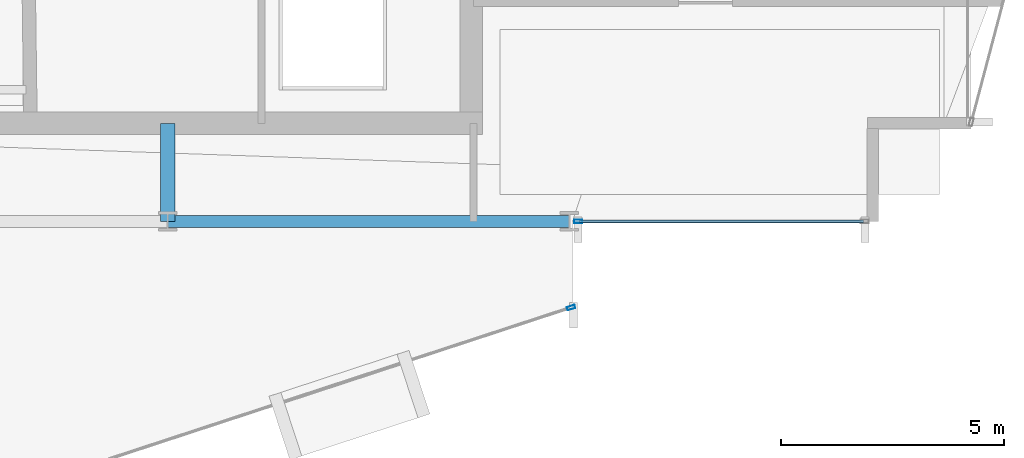
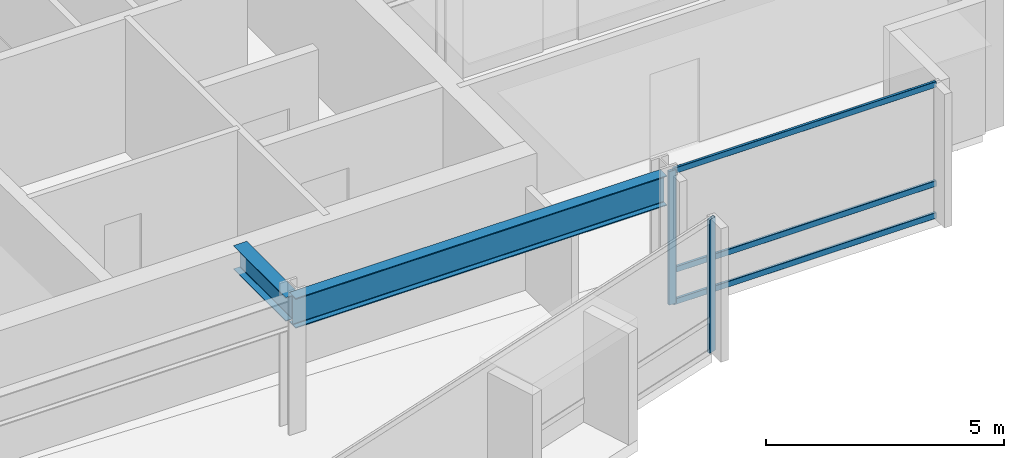
# One storey, part 10 of 29: 5 members, 2 beams, 2 elements without a shape of their own.
"""IFC4 building model written with IfcOpenShell, lengths in metres."""

from ifc_helpers import new_model, si_unit, direction, frame, origin, origin_2d, place, context, subcontext, project, spatial, hollow_rectangle, i_section, extrude, material, layer, layer_set, material_profile, profile_set, type_object, element, aggregate, save


model = new_model("IFC4")

# Units and contexts
model_context = context("Model", 3, precision=1e-05, world=origin(), true_north=direction((0.0, 1.0)))
body_context = subcontext(model_context, "Body", "Model", "MODEL_VIEW")
ifc_project = project(units=[si_unit("LENGTHUNIT", "METRE"), si_unit("AREAUNIT", "SQUARE_METRE"), si_unit("VOLUMEUNIT", "CUBIC_METRE"), si_unit("PLANEANGLEUNIT", "RADIAN"), si_unit("MASSUNIT", "GRAM", prefix="KILO")], contexts=[model_context])

# Site, building, storey
site_placement = place(None, origin())
site = spatial("IfcSite", under=ifc_project, at=site_placement, CompositionType="ELEMENT")
building_placement = place(site_placement, origin())
building = spatial("IfcBuilding", under=site, at=building_placement, Name="Solvaryn Broadcast Tower", CompositionType="ELEMENT")
storey_placement = place(building_placement, frame((0.0, 0.0, 147.0)))
storey = spatial("IfcBuildingStorey", under=building, at=storey_placement, Name="L36", CompositionType="ELEMENT", Elevation=147.0)

# Beams
ifc_material_1 = material(Name="Steel ASTM A992 Grade 50", Category="steel")
ifc_material_profile_1 = material_profile(ifc_material_1, i_section(OverallWidth=0.323974609375, OverallDepth=0.611083984375, WebThickness=0.0126953125, FlangeThickness=0.01904296875, FilletRadius=0.014892578125, at=origin_2d()))
ifc_profile_set_1 = profile_set([ifc_material_profile_1], Name="Steel ASTM A992 Grade 50")
beam_type_1 = type_object("IfcBeamType", Name="BM-B1-W24X104", PredefinedType="BEAM", material=ifc_profile_set_1)
beam_1_placement = place(storey_placement, frame((36.0, 9.0, 3.114501953125), z_axis=(0.0, 1.0, 0.0), x_axis=(-1.0, 0.0, 0.0)))
element("IfcBeam", 1, at=beam_1_placement, inside=storey, type_object=beam_type_1, Name="L36 Core Tie Beam CTE1", PredefinedType="BEAM", context=body_context, shape_type="SweptSolid", body=[
    extrude(i_section(OverallWidth=0.323974609375, OverallDepth=0.611083984375, WebThickness=0.0126953125, FlangeThickness=0.01904296875, FilletRadius=0.014892578125, at=origin_2d()), origin(), (0.0, 0.0, 1.0), 2.199951171875),
])
ifc_material_2 = material(Name="Steel ASTM A992 Grade 50", Category="steel")
ifc_material_profile_2 = material_profile(ifc_material_2, i_section(OverallWidth=0.26708984375, OverallDepth=0.76611328125, WebThickness=0.014892578125, FlangeThickness=0.023681640625, FilletRadius=0.01806640625, at=origin_2d()))
ifc_profile_set_2 = profile_set([ifc_material_profile_2], Name="Steel ASTM A992 Grade 50")
beam_type_2 = type_object("IfcBeamType", Name="BM-SP2-W30X124", PredefinedType="USERDEFINED", material=ifc_profile_set_2)
beam_2_placement = place(storey_placement, frame((36.0, 9.0, 3.037109375), z_axis=(1.0, 0.0, 0.0), x_axis=(0.0, 1.0, 0.0)))
element("IfcBeam", 2, at=beam_2_placement, inside=storey, type_object=beam_type_2, Name="L36 Spandrel Beam X (36-45 @ Y=9)", ObjectType="SPANDREL", PredefinedType="USERDEFINED", context=body_context, shape_type="SweptSolid", body=[
    extrude(i_section(OverallWidth=0.26708984375, OverallDepth=0.76611328125, WebThickness=0.014892578125, FlangeThickness=0.023681640625, FilletRadius=0.01806640625, at=origin_2d()), origin(), (0.0, 0.0, 1.0), 9.0),
])

# Curtain wall, member
ifc_material_3 = material(Name="Aluminium and Terracotta Unitised Curtain Wall", Category="masonry")
ifc_layer = layer(ifc_material_3, 0.199951171875)
ifc_layer_set = layer_set([ifc_layer], Name="CW-SYS2-LOWMID")
curtain_wall_type = type_object("IfcCurtainWallType", Name="CW-SYS2-LOWMID", PredefinedType="NOTDEFINED", material=ifc_layer_set)
curtain_wall_1_placement = place(storey_placement, origin())
curtain_wall_1 = element("IfcCurtainWall", 3, at=curtain_wall_1_placement, inside=storey, type_object=curtain_wall_type, Name="L36 Curtain Wall DR4", PredefinedType="NOTDEFINED")
ifc_material_4 = material(Name="Anodised Aluminium 6063-T6", Category="aluminium")
ifc_material_profile_3 = material_profile(ifc_material_4, hollow_rectangle(XDim=0.074951171875, YDim=0.179931640625, WallThickness=0.00390625, InnerFilletRadius=0.00390625, OuterFilletRadius=0.008056640625, at=origin_2d()))
ifc_profile_set_3 = profile_set([ifc_material_profile_3], Name="Anodised Aluminium 6063-T6")
member_type_1 = type_object("IfcMemberType", Name="CW-MUL-180", PredefinedType="MULLION", material=ifc_profile_set_3)
member_1_placement = place(storey_placement, frame((45.03857421875, 7.069580078125, 0.0), z_axis=(0.0, 0.0, 1.0), x_axis=(-0.311646057547, 0.950198260794, 0.0)))
member_1 = element("IfcMember", 4, at=member_1_placement, type_object=member_type_1, Name="CWS2 mullion 2", PredefinedType="MULLION", context=body_context, shape_type="SweptSolid", body=[
    extrude(hollow_rectangle(XDim=0.074951171875, YDim=0.179931640625, WallThickness=0.00390625, InnerFilletRadius=0.00390625, OuterFilletRadius=0.008056640625, at=origin_2d()), origin(), (0.0, 0.0, 1.0), 3.419921875),
])
aggregate(curtain_wall_1, [member_1])

# Curtain wall, members
curtain_wall_2_placement = place(storey_placement, origin())
curtain_wall_2 = element("IfcCurtainWall", 5, at=curtain_wall_2_placement, inside=storey, type_object=curtain_wall_type, Name="L36 Curtain Wall S2", PredefinedType="NOTDEFINED")
member_2_placement = place(storey_placement, frame((45.197021484375, 9.0, 0.0), z_axis=(0.0, 0.0, 1.0), x_axis=(0.0, 1.0, 0.0)))
member_2 = element("IfcMember", 6, at=member_2_placement, type_object=member_type_1, Name="CWS2 mullion 1", PredefinedType="MULLION", context=body_context, shape_type="SweptSolid", body=[
    extrude(hollow_rectangle(XDim=0.074951171875, YDim=0.179931640625, WallThickness=0.00390625, InnerFilletRadius=0.00390625, OuterFilletRadius=0.008056640625, at=origin_2d()), origin(), (0.0, 0.0, 1.0), 3.419921875),
])
ifc_material_5 = material(Name="Anodised Aluminium 6063-T6", Category="aluminium")
ifc_material_profile_4 = material_profile(ifc_material_5, hollow_rectangle(XDim=0.06494140625, YDim=0.14990234375, WallThickness=0.00390625, InnerFilletRadius=0.00390625, OuterFilletRadius=0.008056640625, at=origin_2d()))
ifc_profile_set_4 = profile_set([ifc_material_profile_4], Name="Anodised Aluminium 6063-T6")
member_type_2 = type_object("IfcMemberType", Name="CW-TRN-150", PredefinedType="USERDEFINED", material=ifc_profile_set_4)
member_3_placement = place(storey_placement, frame((45.22705078125, 9.0, 0.030029296875), z_axis=(1.0, 0.0, 0.0), x_axis=(0.0, 1.0, 0.0)))
member_3 = element("IfcMember", 7, at=member_3_placement, type_object=member_type_2, Name="CWS2 transom 1.1", ObjectType="TRANSOM", PredefinedType="USERDEFINED", context=body_context, shape_type="SweptSolid", body=[
    extrude(hollow_rectangle(XDim=0.06494140625, YDim=0.14990234375, WallThickness=0.00390625, InnerFilletRadius=0.00390625, OuterFilletRadius=0.008056640625, at=origin_2d()), origin(), (0.0, 0.0, 1.0), 6.363037109375),
])
member_4_placement = place(storey_placement, frame((45.22705078125, 9.0, 0.85009765625), z_axis=(1.0, 0.0, 0.0), x_axis=(0.0, 1.0, 0.0)))
member_4 = element("IfcMember", 8, at=member_4_placement, type_object=member_type_2, Name="CWS2 transom 1.2", ObjectType="TRANSOM", PredefinedType="USERDEFINED", context=body_context, shape_type="SweptSolid", body=[
    extrude(hollow_rectangle(XDim=0.06494140625, YDim=0.14990234375, WallThickness=0.00390625, InnerFilletRadius=0.00390625, OuterFilletRadius=0.008056640625, at=origin_2d()), origin(), (0.0, 0.0, 1.0), 6.363037109375),
])
member_5_placement = place(storey_placement, frame((45.22705078125, 9.0, 3.389892578125), z_axis=(1.0, 0.0, 0.0), x_axis=(0.0, 1.0, 0.0)))
member_5 = element("IfcMember", 9, at=member_5_placement, type_object=member_type_2, Name="CWS2 transom 1.3", ObjectType="TRANSOM", PredefinedType="USERDEFINED", context=body_context, shape_type="SweptSolid", body=[
    extrude(hollow_rectangle(XDim=0.06494140625, YDim=0.14990234375, WallThickness=0.00390625, InnerFilletRadius=0.00390625, OuterFilletRadius=0.008056640625, at=origin_2d()), origin(), (0.0, 0.0, 1.0), 6.363037109375),
])
aggregate(curtain_wall_2, [member_2, member_3, member_4, member_5])

save(model, "model.ifc")
